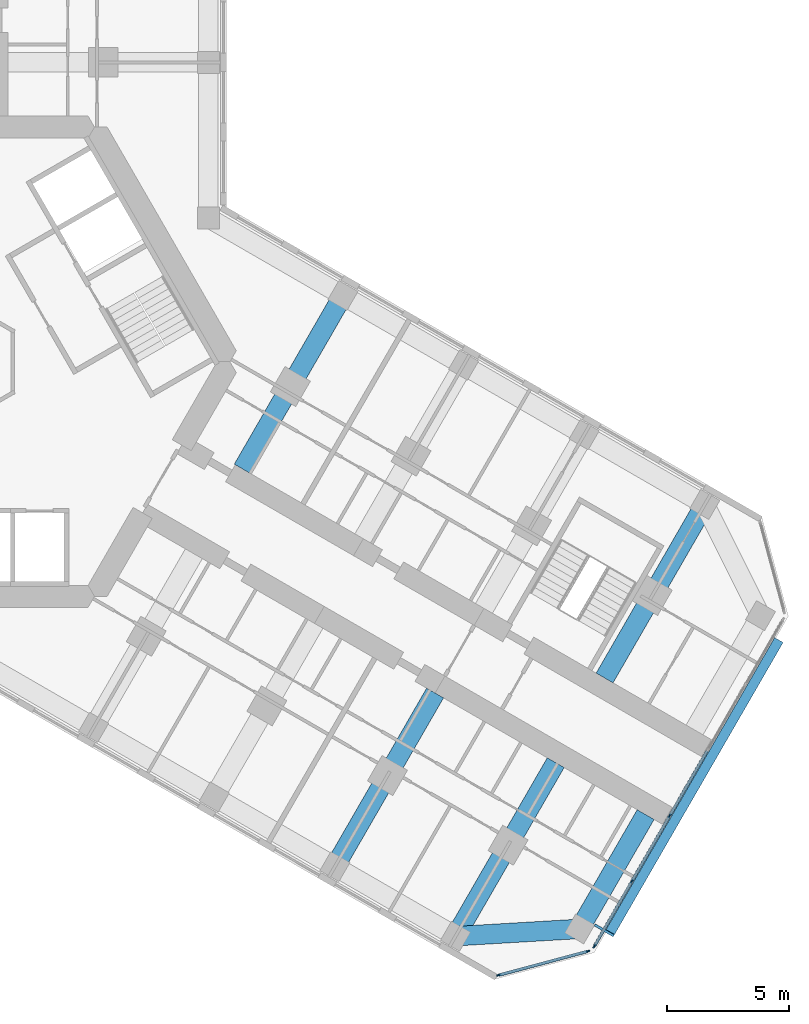
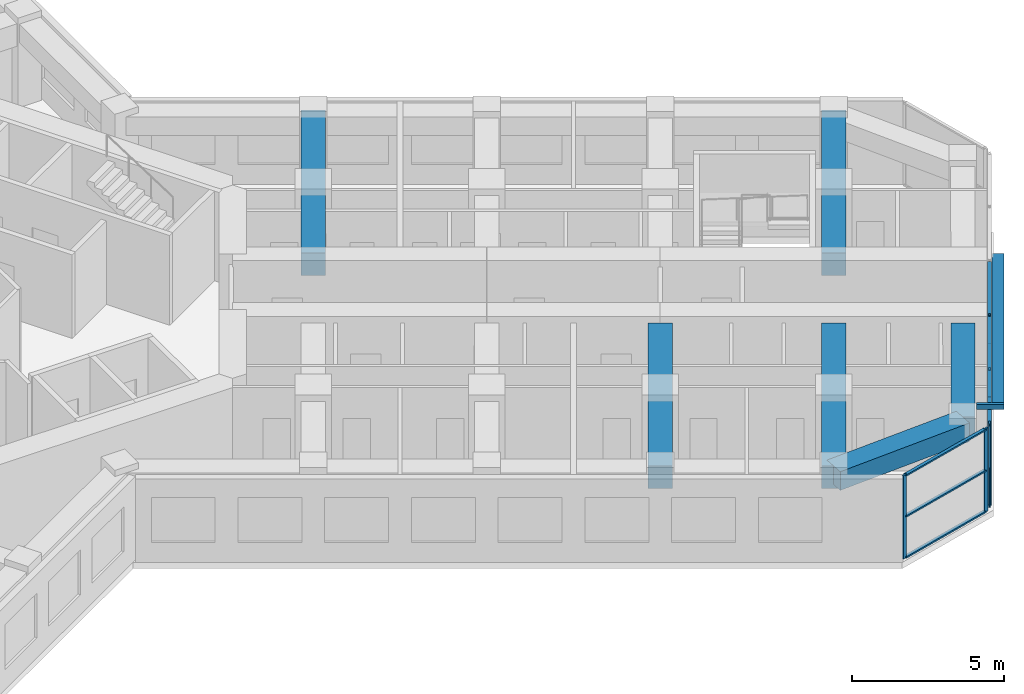
# One storey, part 5 of 20: 16 members, 6 beams, 2 elements without a shape of their own.
"""IFC4 building model written with IfcOpenShell, lengths in metres."""

from ifc_helpers import new_model, si_unit, direction, frame, origin, origin_2d, place, context, subcontext, project, spatial, rectangle, hollow_rectangle, extrude, material, material_profile, profile_set, type_object, element, aggregate, save


model = new_model("IFC4")

# Units and contexts
model_context = context("Model", 3, precision=1e-05, world=origin(), true_north=direction((0.0, 1.0)))
body_context = subcontext(model_context, "Body", "Model", "MODEL_VIEW")
ifc_project = project(units=[si_unit("LENGTHUNIT", "METRE"), si_unit("AREAUNIT", "SQUARE_METRE"), si_unit("VOLUMEUNIT", "CUBIC_METRE"), si_unit("PLANEANGLEUNIT", "RADIAN"), si_unit("MASSUNIT", "GRAM", prefix="KILO")], contexts=[model_context])

# Site, building, storey
site_placement = place(None, origin())
site = spatial("IfcSite", under=ifc_project, at=site_placement, CompositionType="ELEMENT")
building_placement = place(site_placement, origin())
building = spatial("IfcBuilding", under=site, at=building_placement, Name="Kosmar Iwan School Tower", CompositionType="ELEMENT")
storey_placement = place(building_placement, frame((0.0, 0.0, 179.60009765625)))
storey = spatial("IfcBuildingStorey", under=building, at=storey_placement, Name="L45", CompositionType="ELEMENT", Elevation=179.60009765625)

# Members
ifc_material_1 = material(Name="Black anodised aluminium", Category="aluminium")
ifc_material_profile_1 = material_profile(ifc_material_1, rectangle(XDim=0.10009765625, YDim=0.39990234375, at=origin_2d()), Name="FIN 100x400")
ifc_profile_set_1 = profile_set([ifc_material_profile_1], Name="Black anodised aluminium")
member_type_1 = type_object("IfcMemberType", Name="Diagonal fin 100x400", PredefinedType="USERDEFINED", material=ifc_profile_set_1)
member_1_placement = place(storey_placement, frame((33.54345703125, -11.40087890625, -0.150146484375), z_axis=(-0.483793446988, -0.837970316603, 0.25248692866), x_axis=(0.126241714543, 0.218661104574, 0.96760030532)))
element("IfcMember", 1, at=member_1_placement, inside=storey, type_object=member_type_1, Name="Diagonal fin L45-F03", ObjectType="FIN", PredefinedType="USERDEFINED", context=body_context, shape_type="SweptSolid", body=[
    extrude(rectangle(XDim=0.10009765625, YDim=0.39990234375, at=origin_2d()), origin(), (0.0, 0.0, 1.0), 14.258544921875),
])
ifc_material_2 = material(Name="Steel S355", Category="steel")
ifc_material_profile_2 = material_profile(ifc_material_2, hollow_rectangle(XDim=0.10009765625, YDim=0.199951171875, WallThickness=0.008056640625, at=origin_2d()), Name="RHS 200x100x8")
ifc_profile_set_2 = profile_set([ifc_material_profile_2], Name="Steel S355")
member_type_2 = type_object("IfcMemberType", Name="Fin bracket RHS 200x100", PredefinedType="USERDEFINED", material=ifc_profile_set_2)
member_2_placement = place(storey_placement, frame((26.01318359375, -23.0439453125, 3.474853515625), z_axis=(0.866013897511, -0.50001992892, 0.0), x_axis=(0.50001992892, 0.866013897511, 0.0)))
element("IfcMember", 2, at=member_2_placement, inside=storey, type_object=member_type_2, Name="Fin bracket L46", ObjectType="FIN BRACKET", PredefinedType="USERDEFINED", context=body_context, shape_type="SweptSolid", body=[
    extrude(hollow_rectangle(XDim=0.10009765625, YDim=0.199951171875, WallThickness=0.008056640625, at=origin_2d()), origin(), (0.0, 0.0, 1.0), 0.89990234375),
])

# Curtain wall, members
ifc_material_3 = material(Name="Dark glass in black aluminium frame", Category="aluminium")
curtain_wall_type_1 = type_object("IfcCurtainWallType", Name="Chamfer curtain wall dark glass", PredefinedType="USERDEFINED", material=ifc_material_3)
curtain_wall_1_placement = place(storey_placement, origin())
curtain_wall_1 = element("IfcCurtainWall", 3, at=curtain_wall_1_placement, inside=storey, type_object=curtain_wall_type_1, Name="Curtain wall L45-F02", ObjectType="FACETED CURTAIN WALL", PredefinedType="USERDEFINED")
ifc_material_4 = material(Name="Black anodised aluminium", Category="aluminium")
ifc_material_profile_3 = material_profile(ifc_material_4, rectangle(XDim=0.06005859375, YDim=0.159912109375, at=origin_2d()), Name="MULLION 60x160")
ifc_profile_set_3 = profile_set([ifc_material_profile_3], Name="Black anodised aluminium")
member_type_3 = type_object("IfcMemberType", Name="Mullion 60x160", PredefinedType="MULLION", material=ifc_profile_set_3)
member_3_placement = place(storey_placement, frame((22.0830078125, -25.102294921875, 0.0), z_axis=(0.0, 0.0, 1.0), x_axis=(-0.258818861462, 0.965925875495, 0.0)))
member_3 = element("IfcMember", 4, at=member_3_placement, type_object=member_type_3, Name="CW2 mullion 1", PredefinedType="MULLION", context=body_context, shape_type="SweptSolid", body=[
    extrude(rectangle(XDim=0.06005859375, YDim=0.159912109375, at=origin_2d()), origin(), (0.0, 0.0, 1.0), 3.349853515625),
])
member_4_placement = place(storey_placement, frame((25.733154296875, -24.124267578125, 0.0), z_axis=(0.0, 0.0, 1.0), x_axis=(-0.258818861462, 0.965925875495, 0.0)))
member_4 = element("IfcMember", 5, at=member_4_placement, type_object=member_type_3, Name="CW2 mullion 2", PredefinedType="MULLION", context=body_context, shape_type="SweptSolid", body=[
    extrude(rectangle(XDim=0.06005859375, YDim=0.159912109375, at=origin_2d()), origin(), (0.0, 0.0, 1.0), 3.349853515625),
])

ifc_material_5 = material(Name="Dark glass in black aluminium frame", Category="aluminium")
curtain_wall_type_2 = type_object("IfcCurtainWallType", Name="Tower curtain wall dark glass", PredefinedType="USERDEFINED", material=ifc_material_5)
curtain_wall_2_placement = place(storey_placement, origin())
curtain_wall_2 = element("IfcCurtainWall", 6, at=curtain_wall_2_placement, inside=storey, type_object=curtain_wall_type_2, Name="Curtain wall L45-F03", ObjectType="UNITISED CURTAIN WALL", PredefinedType="USERDEFINED")
member_5_placement = place(storey_placement, frame((25.9970703125, -23.921630859375, 0.0), z_axis=(0.0, 0.0, 1.0), x_axis=(-0.866025405329, 0.499999997325, 0.0)))
member_5 = element("IfcMember", 7, at=member_5_placement, type_object=member_type_3, Name="CW1 mullion 1", PredefinedType="MULLION", context=body_context, shape_type="SweptSolid", body=[
    extrude(rectangle(XDim=0.06005859375, YDim=0.159912109375, at=origin_2d()), origin(), (0.0, 0.0, 1.0), 3.349853515625),
])
member_6_placement = place(storey_placement, frame((27.53173828125, -21.263671875, 0.0), z_axis=(0.0, 0.0, 1.0), x_axis=(-0.866025405329, 0.499999997325, 0.0)))
member_6 = element("IfcMember", 8, at=member_6_placement, type_object=member_type_3, Name="CW1 mullion 2", PredefinedType="MULLION", context=body_context, shape_type="SweptSolid", body=[
    extrude(rectangle(XDim=0.06005859375, YDim=0.159912109375, at=origin_2d()), origin(), (0.0, 0.0, 1.0), 3.349853515625),
])
member_7_placement = place(storey_placement, frame((29.081298828125, -18.57958984375, 0.0), z_axis=(0.0, 0.0, 1.0), x_axis=(-0.866025405329, 0.499999997325, 0.0)))
member_7 = element("IfcMember", 9, at=member_7_placement, type_object=member_type_3, Name="CW1 mullion 3", PredefinedType="MULLION", context=body_context, shape_type="SweptSolid", body=[
    extrude(rectangle(XDim=0.06005859375, YDim=0.159912109375, at=origin_2d()), origin(), (0.0, 0.0, 1.0), 3.349853515625),
])

# Beams
ifc_material_6 = material(Name="Concrete C50/60", Category="concrete")
ifc_material_profile_4 = material_profile(ifc_material_6, rectangle(XDim=0.800048828125, YDim=0.75, at=origin_2d()), Name="RC 800x750")
ifc_profile_set_4 = profile_set([ifc_material_profile_4], Name="Concrete C50/60")
beam_type_1 = type_object("IfcBeamType", Name="RC tip beam 800x750", PredefinedType="BEAM", material=ifc_profile_set_4)
beam_1_placement = place(storey_placement, frame((20.31787109375, -23.508544921875, 2.974853515625), z_axis=(0.998260616478, 0.058955420358, 0.0), x_axis=(-0.058955420358, 0.998260616478, 0.0)))
element("IfcBeam", 10, at=beam_1_placement, inside=storey, type_object=beam_type_1, Name="Tip beam CR", PredefinedType="BEAM", context=body_context, shape_type="SweptSolid", body=[
    extrude(rectangle(XDim=0.800048828125, YDim=0.75, at=origin_2d()), origin(), (0.0, 0.0, 1.0), 5.08935546875),
])
beam_2_placement = place(storey_placement, frame((25.3984375, -23.20849609375, 2.974853515625), z_axis=(0.499995103361, 0.866028230842, 0.0), x_axis=(-0.866028230842, 0.499995103361, 0.0)))
element("IfcBeam", 11, at=beam_2_placement, inside=storey, type_object=beam_type_1, Name="Tip beam CR to corridor wall", PredefinedType="BEAM", context=body_context, shape_type="SweptSolid", body=[
    extrude(rectangle(XDim=0.800048828125, YDim=0.75, at=origin_2d()), origin(), (0.0, 0.0, 1.0), 5.39990234375),
])
ifc_material_7 = material(Name="Concrete C50/60", Category="concrete")
ifc_material_profile_5 = material_profile(ifc_material_7, rectangle(XDim=0.800048828125, YDim=0.89990234375, at=origin_2d()), Name="RC 800x900")
ifc_profile_set_5 = profile_set([ifc_material_profile_5], Name="Concrete C50/60")
beam_type_2 = type_object("IfcBeamType", Name="RC transverse beam 800x900", PredefinedType="BEAM", material=ifc_profile_set_5)
for number, where, z_axis, x_axis, name in (
    (12, (15.708740234375, 2.70849609375, 2.89990234375), (-0.499978459874, -0.866037839625, 0.0), (0.866037839625, -0.499978459874, 0.0), "Transverse beam CL1"),
    (13, (30.517822265625, -5.841552734375, 2.89990234375), (-0.500013681986, -0.866017504342, 0.0), (0.866017504342, -0.500013681986, 0.0), "Transverse beam CL4"),
    (14, (15.381591796875, -20.658447265625, 2.89990234375), (0.49999135188, 0.866030396721, 0.0), (-0.866030396721, 0.49999135188, 0.0), "Transverse beam CR3"),
    (15, (20.31787109375, -23.508544921875, 2.89990234375), (0.499978459874, 0.866037839625, 0.0), (-0.866037839625, 0.499978459874, 0.0), "Transverse beam CR4"),
):
    element("IfcBeam", number, at=place(storey_placement, frame(where, z_axis=z_axis, x_axis=x_axis)), inside=storey, type_object=beam_type_2, Name=name, PredefinedType="BEAM", context=body_context, shape_type="SweptSolid", body=[
        extrude(rectangle(XDim=0.800048828125, YDim=0.89990234375, at=origin_2d()), origin(), (0.0, 0.0, 1.0), 8.199951171875),
    ])

# Member
ifc_material_8 = material(Name="Black anodised aluminium", Category="aluminium")
ifc_material_profile_6 = material_profile(ifc_material_8, rectangle(XDim=0.1201171875, YDim=0.06005859375, at=origin_2d()), Name="TRANSOM 60x120")
ifc_profile_set_6 = profile_set([ifc_material_profile_6], Name="Black anodised aluminium")
member_type_4 = type_object("IfcMemberType", Name="Transom 60x120", PredefinedType="USERDEFINED", material=ifc_profile_set_6)
member_8_placement = place(storey_placement, frame((22.11181640625, -25.094482421875, 0.02978515625), z_axis=(0.965923731726, 0.258826861991, 0.0), x_axis=(-0.258826861991, 0.965923731726, 0.0)))
member_8 = element("IfcMember", 16, at=member_8_placement, type_object=member_type_4, Name="CW2 transom 1.1", ObjectType="TRANSOM", PredefinedType="USERDEFINED", context=body_context, shape_type="SweptSolid", body=[
    extrude(rectangle(XDim=0.1201171875, YDim=0.06005859375, at=origin_2d()), origin(), (0.0, 0.0, 1.0), 3.71923828125),
])

member_9_placement = place(storey_placement, frame((22.11181640625, -25.094482421875, 1.6748046875), z_axis=(0.965923731726, 0.258826861991, 0.0), x_axis=(-0.258826861991, 0.965923731726, 0.0)))
member_9 = element("IfcMember", 17, at=member_9_placement, type_object=member_type_4, Name="CW2 transom 1.2", ObjectType="TRANSOM", PredefinedType="USERDEFINED", context=body_context, shape_type="SweptSolid", body=[
    extrude(rectangle(XDim=0.1201171875, YDim=0.06005859375, at=origin_2d()), origin(), (0.0, 0.0, 1.0), 3.71923828125),
])

member_10_placement = place(storey_placement, frame((22.11181640625, -25.094482421875, 3.31982421875), z_axis=(0.965923731726, 0.258826861991, 0.0), x_axis=(-0.258826861991, 0.965923731726, 0.0)))
member_10 = element("IfcMember", 18, at=member_10_placement, type_object=member_type_4, Name="CW2 transom 1.3", ObjectType="TRANSOM", PredefinedType="USERDEFINED", context=body_context, shape_type="SweptSolid", body=[
    extrude(rectangle(XDim=0.1201171875, YDim=0.06005859375, at=origin_2d()), origin(), (0.0, 0.0, 1.0), 3.71923828125),
])

aggregate(curtain_wall_1, [member_3, member_4, member_8, member_9, member_10])

member_11_placement = place(storey_placement, frame((26.01220703125, -23.895751953125, 0.02978515625), z_axis=(0.499986971506, 0.866032925658, 0.0), x_axis=(-0.866032925658, 0.499986971506, 0.0)))
member_11 = element("IfcMember", 19, at=member_11_placement, type_object=member_type_4, Name="CW1 transom 1.1", ObjectType="TRANSOM", PredefinedType="USERDEFINED", context=body_context, shape_type="SweptSolid", body=[
    extrude(rectangle(XDim=0.1201171875, YDim=0.06005859375, at=origin_2d()), origin(), (0.0, 0.0, 1.0), 3.00927734375),
])

member_12_placement = place(storey_placement, frame((26.01220703125, -23.895751953125, 3.31982421875), z_axis=(0.499986971506, 0.866032925658, 0.0), x_axis=(-0.866032925658, 0.499986971506, 0.0)))
member_12 = element("IfcMember", 20, at=member_12_placement, type_object=member_type_4, Name="CW1 transom 1.2", ObjectType="TRANSOM", PredefinedType="USERDEFINED", context=body_context, shape_type="SweptSolid", body=[
    extrude(rectangle(XDim=0.1201171875, YDim=0.06005859375, at=origin_2d()), origin(), (0.0, 0.0, 1.0), 3.00927734375),
])

member_13_placement = place(storey_placement, frame((27.546875, -21.237548828125, 0.02978515625), z_axis=(0.499975102327, 0.866039777986, 0.0), x_axis=(-0.866039777986, 0.499975102327, 0.0)))
member_13 = element("IfcMember", 21, at=member_13_placement, type_object=member_type_4, Name="CW1 transom 2.1", ObjectType="TRANSOM", PredefinedType="USERDEFINED", context=body_context, shape_type="SweptSolid", body=[
    extrude(rectangle(XDim=0.1201171875, YDim=0.06005859375, at=origin_2d()), origin(), (0.0, 0.0, 1.0), 3.039306640625),
])

member_14_placement = place(storey_placement, frame((27.546875, -21.237548828125, 3.31982421875), z_axis=(0.499975102327, 0.866039777986, 0.0), x_axis=(-0.866039777986, 0.499975102327, 0.0)))
member_14 = element("IfcMember", 22, at=member_14_placement, type_object=member_type_4, Name="CW1 transom 2.2", ObjectType="TRANSOM", PredefinedType="USERDEFINED", context=body_context, shape_type="SweptSolid", body=[
    extrude(rectangle(XDim=0.1201171875, YDim=0.06005859375, at=origin_2d()), origin(), (0.0, 0.0, 1.0), 3.039306640625),
])

member_15_placement = place(storey_placement, frame((29.096435546875, -18.553466796875, 0.02978515625), z_axis=(0.499975102327, 0.866039777986, 0.0), x_axis=(-0.866039777986, 0.499975102327, 0.0)))
member_15 = element("IfcMember", 23, at=member_15_placement, type_object=member_type_4, Name="CW1 transom 3.1", ObjectType="TRANSOM", PredefinedType="USERDEFINED", context=body_context, shape_type="SweptSolid", body=[
    extrude(rectangle(XDim=0.1201171875, YDim=0.06005859375, at=origin_2d()), origin(), (0.0, 0.0, 1.0), 3.039306640625),
])

member_16_placement = place(storey_placement, frame((29.096435546875, -18.553466796875, 3.31982421875), z_axis=(0.499975102327, 0.866039777986, 0.0), x_axis=(-0.866039777986, 0.499975102327, 0.0)))
member_16 = element("IfcMember", 24, at=member_16_placement, type_object=member_type_4, Name="CW1 transom 3.2", ObjectType="TRANSOM", PredefinedType="USERDEFINED", context=body_context, shape_type="SweptSolid", body=[
    extrude(rectangle(XDim=0.1201171875, YDim=0.06005859375, at=origin_2d()), origin(), (0.0, 0.0, 1.0), 3.039306640625),
])

aggregate(curtain_wall_2, [member_5, member_6, member_7, member_11, member_12, member_13, member_14, member_15, member_16])

save(model, "model.ifc")
